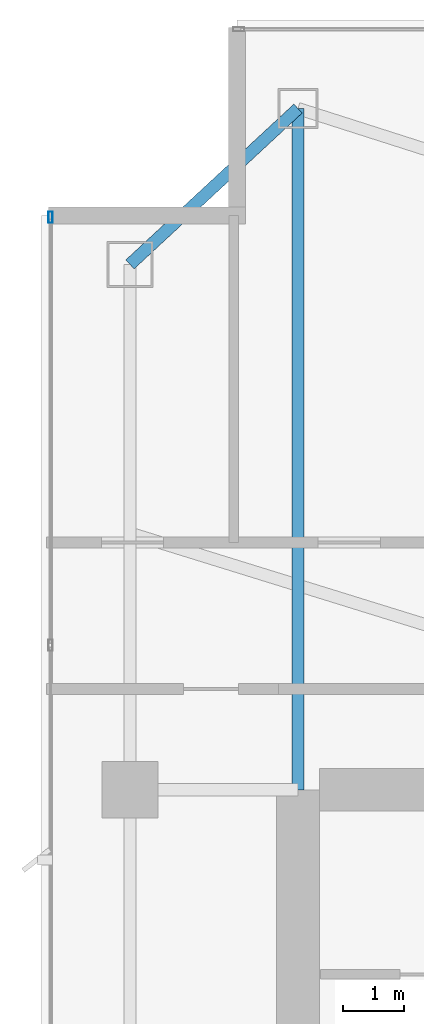
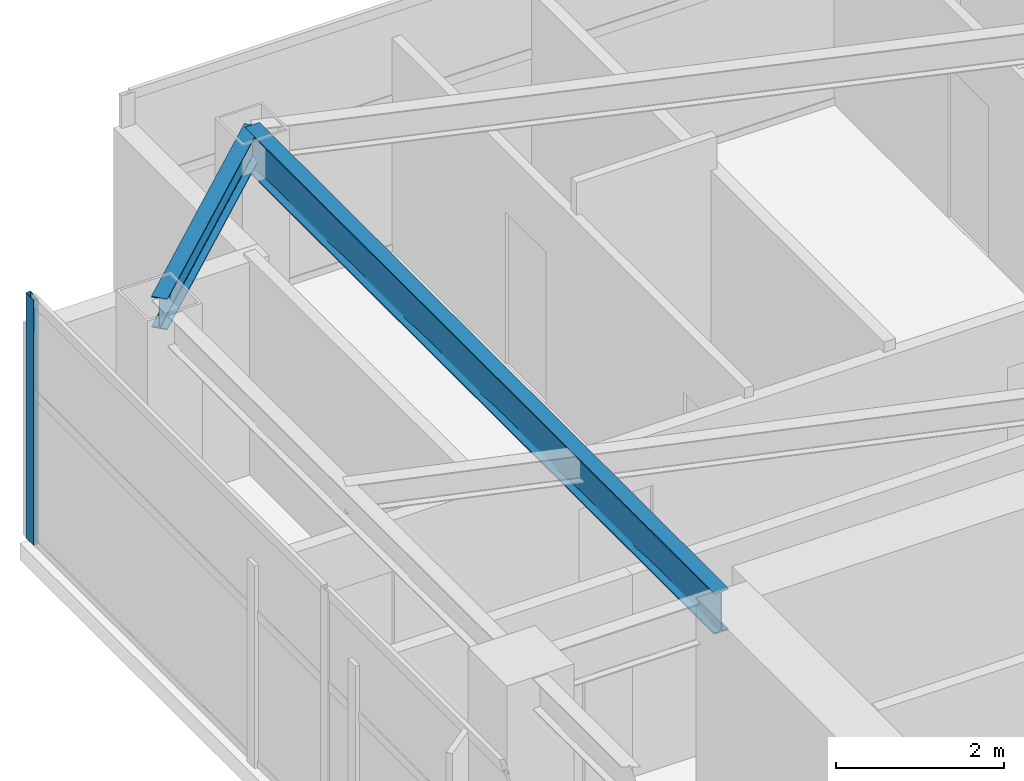
# One storey, part 18 of 30: 2 beams, 1 member, 1 element without a shape of its own.
"""IFC4 building model written with IfcOpenShell, lengths in metres."""

from ifc_helpers import new_model, si_unit, direction, frame, origin, origin_2d, place, context, subcontext, project, spatial, hollow_rectangle, i_section, extrude, material, layer, layer_set, material_profile, profile_set, type_object, element, aggregate, save


model = new_model("IFC4")

# Units and contexts
model_context = context("Model", 3, precision=1e-05, world=origin(), true_north=direction((0.0, 1.0)))
body_context = subcontext(model_context, "Body", "Model", "MODEL_VIEW")
ifc_project = project(units=[si_unit("LENGTHUNIT", "METRE"), si_unit("AREAUNIT", "SQUARE_METRE"), si_unit("VOLUMEUNIT", "CUBIC_METRE"), si_unit("PLANEANGLEUNIT", "RADIAN"), si_unit("MASSUNIT", "GRAM", prefix="KILO")], contexts=[model_context])

# Site, building, storey
site_placement = place(None, origin())
site = spatial("IfcSite", under=ifc_project, at=site_placement, CompositionType="ELEMENT")
building_placement = place(site_placement, origin())
building = spatial("IfcBuilding", under=site, at=building_placement, Name="Calvorn Quay Hotel", CompositionType="ELEMENT")
storey_placement = place(building_placement, frame((0.0, 0.0, 207.199951171875)))
storey = spatial("IfcBuildingStorey", under=building, at=storey_placement, Name="L51", CompositionType="ELEMENT", Elevation=207.199951171875)

# Beams
ifc_material_1 = material(Name="Steel Q355B", Category="steel")
ifc_material_profile_1 = material_profile(ifc_material_1, i_section(OverallWidth=0.199951171875, OverallDepth=0.60009765625, WebThickness=0.010986328125, FlangeThickness=0.01708984375, FilletRadius=0.01806640625, at=origin_2d()), Name="HN600x200x11x17")
ifc_profile_set_1 = profile_set([ifc_material_profile_1], Name="Steel Q355B")
beam_type_1 = type_object("IfcBeamType", Name="BM-GIRD-TYP", PredefinedType="BEAM", material=ifc_profile_set_1)
beam_1_placement = place(storey_placement, frame((4.199951171875, 49.550048828125, 3.239990234375), z_axis=(0.0, -1.0, 0.0), x_axis=(1.0, 0.0, 0.0)))
element("IfcBeam", 1, at=beam_1_placement, inside=storey, type_object=beam_type_1, Name="Beam BG-L51-W5", PredefinedType="BEAM", context=body_context, shape_type="SweptSolid", body=[
    extrude(i_section(OverallWidth=0.199951171875, OverallDepth=0.60009765625, WebThickness=0.010986328125, FlangeThickness=0.01708984375, FilletRadius=0.01806640625, at=origin_2d()), origin(), (0.0, 0.0, 1.0), 11.150146484375),
])
ifc_material_2 = material(Name="Steel Q355B", Category="steel")
ifc_material_profile_2 = material_profile(ifc_material_2, i_section(OverallWidth=0.199951171875, OverallDepth=0.449951171875, WebThickness=0.009033203125, FlangeThickness=0.013916015625, FilletRadius=0.01611328125, at=origin_2d()), Name="HN450x200x9x14")
ifc_profile_set_2 = profile_set([ifc_material_profile_2], Name="Steel Q355B")
beam_type_2 = type_object("IfcBeamType", Name="BM-SPANDREL-Z3", PredefinedType="SPANDREL", material=ifc_profile_set_2)
beam_2_placement = place(storey_placement, frame((1.449951171875, 47.0, 3.31494140625), z_axis=(0.733261665538, 0.679946563969, 0.0), x_axis=(-0.679946563969, 0.733261665538, 0.0)))
element("IfcBeam", 2, at=beam_2_placement, inside=storey, type_object=beam_type_2, Name="Beam BSP-L51-W5", PredefinedType="SPANDREL", context=body_context, shape_type="SweptSolid", body=[
    extrude(i_section(OverallWidth=0.199951171875, OverallDepth=0.449951171875, WebThickness=0.009033203125, FlangeThickness=0.013916015625, FilletRadius=0.01611328125, at=origin_2d()), origin(), (0.0, 0.0, 1.0), 3.75048828125),
])

# Curtain wall, member
ifc_material_3 = material(Name="Champagne Bronze Anodised Aluminium and Low-E Glass", Category="aluminium")
ifc_layer = layer(ifc_material_3, 0.219970703125)
ifc_layer_set = layer_set([ifc_layer], Name="CW-SYS-Z3")
curtain_wall_type = type_object("IfcCurtainWallType", Name="CW-SYS-Z3", PredefinedType="NOTDEFINED", material=ifc_layer_set)
curtain_wall_placement = place(storey_placement, origin())
curtain_wall = element("IfcCurtainWall", 3, at=curtain_wall_placement, inside=storey, type_object=curtain_wall_type, Name="Tower West Curtain Wall (L51)", PredefinedType="NOTDEFINED")
ifc_material_4 = material(Name="Champagne Bronze Anodised Aluminium 6063-T6", Category="aluminium")
ifc_material_profile_3 = material_profile(ifc_material_4, hollow_rectangle(XDim=0.068115234375, YDim=0.18505859375, WallThickness=0.00390625, at=origin_2d()), Name="ALU-M185x68x4")
ifc_profile_set_3 = profile_set([ifc_material_profile_3], Name="Champagne Bronze Anodised Aluminium 6063-T6")
member_type = type_object("IfcMemberType", Name="CW-SYS-Z3-MUL", PredefinedType="MULLION", material=ifc_profile_set_3)
member_placement = place(storey_placement, frame((0.14990234375, 47.77001953125, 0.0), z_axis=(0.0, 0.0, 1.0), x_axis=(-1.0, 0.0, 0.0)))
member = element("IfcMember", 4, at=member_placement, type_object=member_type, Name="CW-L51-W mullion 7", PredefinedType="MULLION", context=body_context, shape_type="SweptSolid", body=[
    extrude(hollow_rectangle(XDim=0.068115234375, YDim=0.18505859375, WallThickness=0.00390625, at=origin_2d()), origin(), (0.0, 0.0, 1.0), 3.56005859375),
])
aggregate(curtain_wall, [member])

save(model, "model.ifc")
